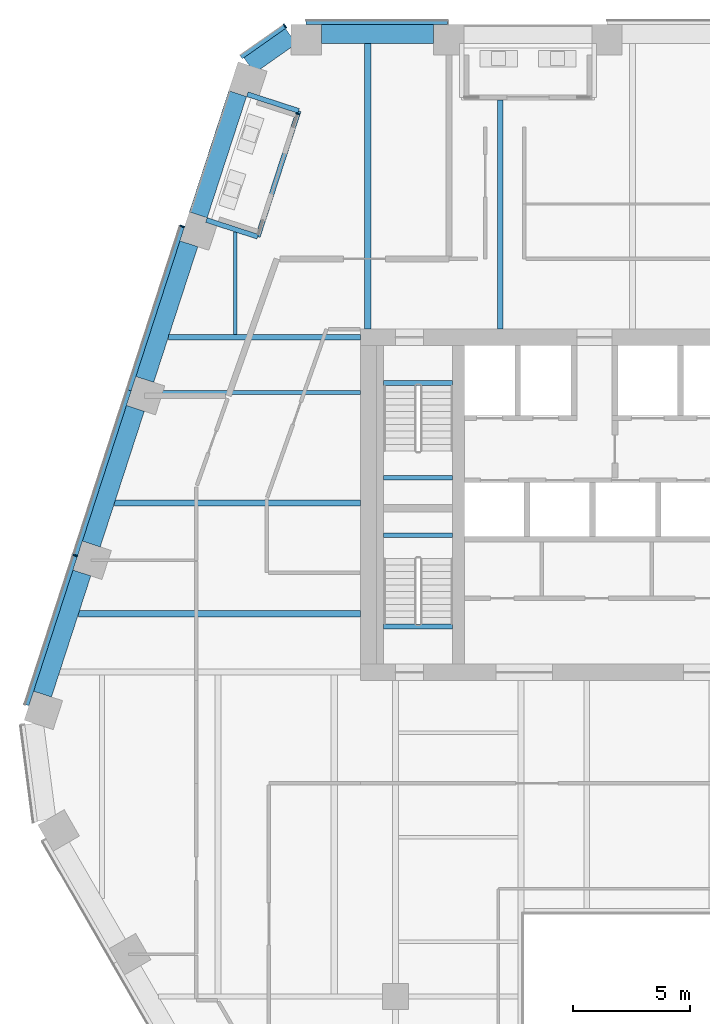
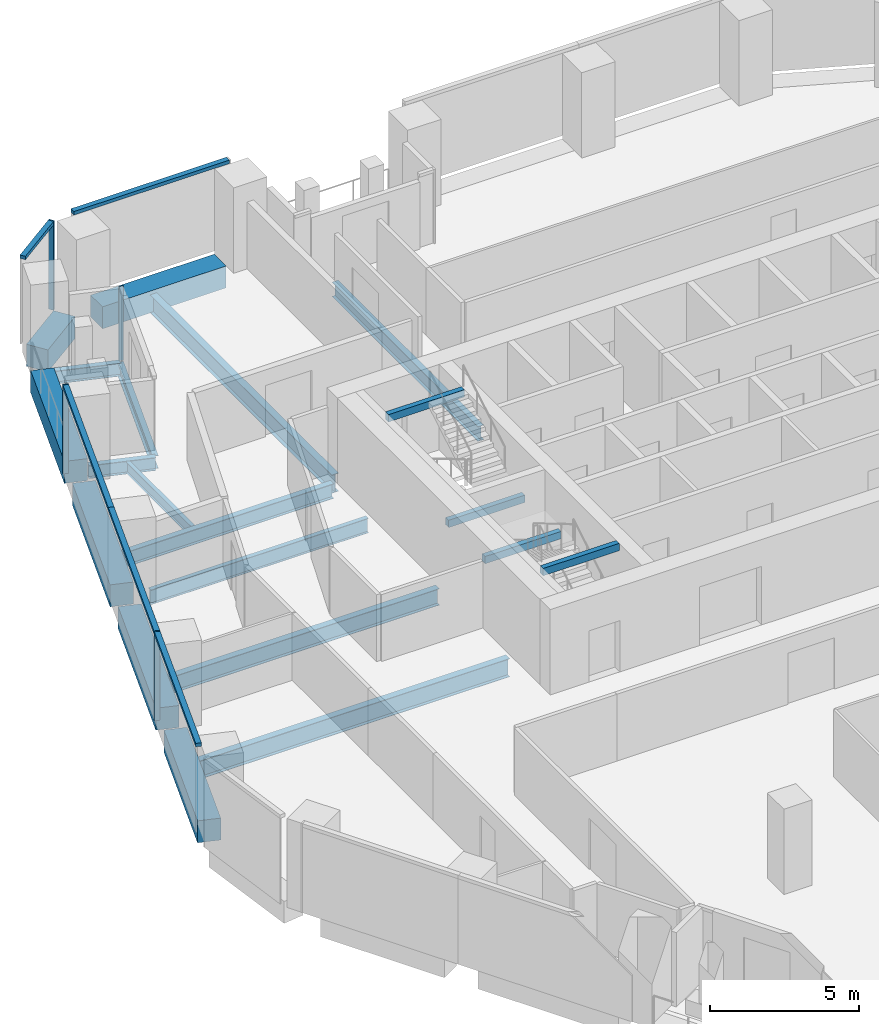
# One storey, part 8 of 26: 20 beams, 9 members, 4 elements without a shape of their own.
"""IFC4 building model written with IfcOpenShell, lengths in metres."""

from ifc_helpers import new_model, si_unit, direction, frame, origin, origin_2d, place, context, subcontext, project, spatial, rectangle, i_section, extrude, material, layer, layer_set, material_profile, profile_set, type_object, element, aggregate, save


model = new_model("IFC4")

# Units and contexts
model_context = context("Model", 3, precision=1e-05, world=origin(), true_north=direction((0.0, 1.0)))
body_context = subcontext(model_context, "Body", "Model", "MODEL_VIEW")
ifc_project = project(units=[si_unit("LENGTHUNIT", "METRE"), si_unit("AREAUNIT", "SQUARE_METRE"), si_unit("VOLUMEUNIT", "CUBIC_METRE"), si_unit("PLANEANGLEUNIT", "RADIAN"), si_unit("MASSUNIT", "GRAM", prefix="KILO")], contexts=[model_context])

# Site, building, storey
site_placement = place(None, origin())
site = spatial("IfcSite", under=ifc_project, at=site_placement, CompositionType="ELEMENT")
building_placement = place(site_placement, origin())
building = spatial("IfcBuilding", under=site, at=building_placement, Name="Isthmus Gate Tower", CompositionType="ELEMENT")
storey_placement = place(building_placement, frame((0.0, 0.0, 189.050048828125)))
storey = spatial("IfcBuildingStorey", under=building, at=storey_placement, Name="L47", CompositionType="ELEMENT", Elevation=189.050048828125)

# Curtain wall, member
ifc_material_1 = material(Name="Aluminium, pale champagne anodised", Category="aluminium")
ifc_layer_1 = layer(ifc_material_1, 0.199951171875)
ifc_layer_set_1 = layer_set([ifc_layer_1], Name="CW-1 UNITISED CURTAIN WALL 200 DEEP")
curtain_wall_type_1 = type_object("IfcCurtainWallType", Name="CW-1 UNITISED CURTAIN WALL 200 DEEP", PredefinedType="NOTDEFINED", material=ifc_layer_set_1)
curtain_wall_1_placement = place(storey_placement, origin())
curtain_wall_1 = element("IfcCurtainWall", 1, at=curtain_wall_1_placement, inside=storey, type_object=curtain_wall_type_1, Name="CW-1 N-NW L47", PredefinedType="NOTDEFINED")
ifc_material_2 = material(Name="Aluminium, pale champagne anodised", Category="aluminium")
ifc_material_profile_1 = material_profile(ifc_material_2, rectangle(XDim=0.06005859375, YDim=0.199951171875, at=origin_2d()), Name="60x200")
ifc_profile_set_1 = profile_set([ifc_material_profile_1], Name="Aluminium, pale champagne anodised")
member_type_1 = type_object("IfcMemberType", Name="CW-1 MULLION 60 X 200", PredefinedType="MULLION", material=ifc_profile_set_1)
member_1_placement = place(storey_placement, frame((-18.216552734375, 27.943115234375, 0.0), z_axis=(0.0, 0.0, 1.0), x_axis=(-0.81785959165, -0.57541783805, 0.0)))
member_1 = element("IfcMember", 2, at=member_1_placement, type_object=member_type_1, Name="CW-1 mullion", PredefinedType="MULLION", context=body_context, shape_type="SweptSolid", body=[
    extrude(rectangle(XDim=0.06005859375, YDim=0.199951171875, at=origin_2d()), origin(), (0.0, 0.0, 1.0), 3.64990234375),
])

# Curtain wall, members
curtain_wall_2_placement = place(storey_placement, origin())
curtain_wall_2 = element("IfcCurtainWall", 3, at=curtain_wall_2_placement, inside=storey, type_object=curtain_wall_type_1, Name="CW-1 NW L47", PredefinedType="NOTDEFINED")
member_2_placement = place(storey_placement, frame((-22.60302734375, 19.38818359375, 0.0), z_axis=(0.0, 0.0, 1.0), x_axis=(-0.309016994375, -0.951056516295, 0.0)))
member_2 = element("IfcMember", 4, at=member_2_placement, type_object=member_type_1, Name="CW-1 mullion", PredefinedType="MULLION", context=body_context, shape_type="SweptSolid", body=[
    extrude(rectangle(XDim=0.06005859375, YDim=0.199951171875, at=origin_2d()), origin(), (0.0, 0.0, 1.0), 3.64990234375),
])
member_3_placement = place(storey_placement, frame((-27.1708984375, 5.330078125, 0.0), z_axis=(0.0, 0.0, 1.0), x_axis=(-0.309016994375, -0.951056516295, 0.0)))
member_3 = element("IfcMember", 5, at=member_3_placement, type_object=member_type_1, Name="CW-1 mullion", PredefinedType="MULLION", context=body_context, shape_type="SweptSolid", body=[
    extrude(rectangle(XDim=0.06005859375, YDim=0.199951171875, at=origin_2d()), origin(), (0.0, 0.0, 1.0), 3.64990234375),
])

# Curtain wall, member
curtain_wall_3_placement = place(storey_placement, origin())
curtain_wall_3 = element("IfcCurtainWall", 6, at=curtain_wall_3_placement, inside=storey, type_object=curtain_wall_type_1, Name="CW-1 N L47", PredefinedType="NOTDEFINED")
ifc_material_3 = material(Name="Aluminium, pale champagne anodised", Category="aluminium")
ifc_material_profile_2 = material_profile(ifc_material_3, rectangle(XDim=0.199951171875, YDim=0.139892578125, at=origin_2d()), Name="200x140")
ifc_profile_set_2 = profile_set([ifc_material_profile_2], Name="Aluminium, pale champagne anodised")
member_type_2 = type_object("IfcMemberType", Name="CW-1 TRANSOM 200 X 140", PredefinedType="USERDEFINED", material=ifc_profile_set_2)
member_4_placement = place(storey_placement, frame((-11.271728515625, 28.10009765625, 3.579833984375), z_axis=(-1.0, 0.0, 0.0), x_axis=(0.0, -1.0, 0.0)))
member_4 = element("IfcMember", 7, at=member_4_placement, type_object=member_type_2, Name="CW-1 transom", ObjectType="TRANSOM", PredefinedType="USERDEFINED", context=body_context, shape_type="SweptSolid", body=[
    extrude(rectangle(XDim=0.199951171875, YDim=0.139892578125, at=origin_2d()), origin(), (0.0, 0.0, 1.0), 6.040283203125),
])
aggregate(curtain_wall_3, [member_4])

# Member
member_5_placement = place(storey_placement, frame((-18.2412109375, 27.92578125, 3.579833984375), z_axis=(-0.817868595604, -0.575405040233, 0.0), x_axis=(0.575405040233, -0.817868595604, 0.0)))
member_5 = element("IfcMember", 8, at=member_5_placement, type_object=member_type_2, Name="CW-1 transom", ObjectType="TRANSOM", PredefinedType="USERDEFINED", context=body_context, shape_type="SweptSolid", body=[
    extrude(rectangle(XDim=0.199951171875, YDim=0.139892578125, at=origin_2d()), origin(), (0.0, 0.0, 1.0), 2.258544921875),
])

aggregate(curtain_wall_1, [member_1, member_5])

member_6_placement = place(storey_placement, frame((-22.6123046875, 19.359619140625, 3.579833984375), z_axis=(-0.309025074527, -0.951053890857, 0.0), x_axis=(0.951053890857, -0.309025074527, 0.0)))
member_6 = element("IfcMember", 9, at=member_6_placement, type_object=member_type_2, Name="CW-1 transom", ObjectType="TRANSOM", PredefinedType="USERDEFINED", context=body_context, shape_type="SweptSolid", body=[
    extrude(rectangle(XDim=0.199951171875, YDim=0.139892578125, at=origin_2d()), origin(), (0.0, 0.0, 1.0), 7.330810546875),
])

member_7_placement = place(storey_placement, frame((-24.877685546875, 12.3876953125, 3.579833984375), z_axis=(-0.309024076379, -0.951054215183, 0.0), x_axis=(0.951054215183, -0.309024076379, 0.0)))
member_7 = element("IfcMember", 10, at=member_7_placement, type_object=member_type_2, Name="CW-1 transom", ObjectType="TRANSOM", PredefinedType="USERDEFINED", context=body_context, shape_type="SweptSolid", body=[
    extrude(rectangle(XDim=0.199951171875, YDim=0.139892578125, at=origin_2d()), origin(), (0.0, 0.0, 1.0), 7.390869140625),
])

member_8_placement = place(storey_placement, frame((-27.18017578125, 5.301513671875, 3.579833984375), z_axis=(-0.309015834351, -0.951056893209, 0.0), x_axis=(0.951056893209, -0.309015834351, 0.0)))
member_8 = element("IfcMember", 11, at=member_8_placement, type_object=member_type_2, Name="CW-1 transom", ObjectType="TRANSOM", PredefinedType="USERDEFINED", context=body_context, shape_type="SweptSolid", body=[
    extrude(rectangle(XDim=0.199951171875, YDim=0.139892578125, at=origin_2d()), origin(), (0.0, 0.0, 1.0), 6.6806640625),
])

aggregate(curtain_wall_2, [member_2, member_6, member_7, member_3, member_8])

# Curtain wall, member
ifc_material_4 = material(Name="Aluminium, pale champagne anodised", Category="aluminium")
ifc_layer_2 = layer(ifc_material_4, 0.14990234375)
ifc_layer_set_2 = layer_set([ifc_layer_2], Name="CW-6 LOGGIA BACK WALL GLAZING 150 DEEP")
curtain_wall_type_2 = type_object("IfcCurtainWallType", Name="CW-6 LOGGIA BACK WALL GLAZING 150 DEEP", PredefinedType="NOTDEFINED", material=ifc_layer_set_2)
curtain_wall_4_placement = place(storey_placement, origin())
curtain_wall_4 = element("IfcCurtainWall", 12, at=curtain_wall_4_placement, inside=storey, type_object=curtain_wall_type_2, Name="CW-6 NW L47", PredefinedType="NOTDEFINED")
ifc_material_5 = material(Name="Aluminium, pale champagne anodised", Category="aluminium")
ifc_material_profile_3 = material_profile(ifc_material_5, rectangle(XDim=0.06005859375, YDim=0.14990234375, at=origin_2d()), Name="60x150")
ifc_profile_set_3 = profile_set([ifc_material_profile_3], Name="Aluminium, pale champagne anodised")
member_type_3 = type_object("IfcMemberType", Name="CW-6 MULLION 60 X 150", PredefinedType="MULLION", material=ifc_profile_set_3)
member_9_placement = place(storey_placement, frame((-17.677490234375, 24.192138671875, 0.0), z_axis=(0.0, 0.0, 1.0), x_axis=(-0.309016994375, -0.951056516295, 0.0)))
member_9 = element("IfcMember", 13, at=member_9_placement, type_object=member_type_3, Name="CW-6 mullion", PredefinedType="MULLION", context=body_context, shape_type="SweptSolid", body=[
    extrude(rectangle(XDim=0.06005859375, YDim=0.14990234375, at=origin_2d()), origin(), (0.0, 0.0, 1.0), 3.050048828125),
])
aggregate(curtain_wall_4, [member_9])

# Beams
ifc_material_6 = material(Name="Concrete f'c 60 MPa", Category="concrete")
ifc_material_profile_4 = material_profile(ifc_material_6, rectangle(XDim=0.800048828125, YDim=0.89990234375, at=origin_2d()), Name="RC 800X900")
ifc_profile_set_4 = profile_set([ifc_material_profile_4], Name="Concrete f'c 60 MPa")
beam_type_1 = type_object("IfcBeamType", Name="RC SPANDREL 800 X 900", PredefinedType="SPANDREL", material=ifc_profile_set_4)
beam_1_placement = place(storey_placement, frame((-28.568115234375, -0.588623046875, -0.449951171875), z_axis=(0.308989680586, 0.95106539065, 0.0), x_axis=(-0.95106539065, 0.308989680586, 0.0)))
element("IfcBeam", 14, at=beam_1_placement, inside=storey, type_object=beam_type_1, Name="str-spandrel-L47-21", PredefinedType="SPANDREL", context=body_context, shape_type="SweptSolid", body=[
    extrude(rectangle(XDim=0.800048828125, YDim=0.89990234375, at=origin_2d()), origin(), (0.0, 0.0, 1.0), 5.44091796875),
])
for number, where, z_axis, x_axis, name in (
    (15, (-26.485107421875, 5.822265625, -0.449951171875), (0.309003593002, 0.951060870561, 0.0), (-0.951060870561, 0.309003593002, 0.0), "str-spandrel-L47-22"),
    (16, (-24.201416015625, 12.851318359375, -0.449951171875), (0.309039848514, 0.951049090232, 0.0), (-0.951049090232, 0.309039848514, 0.0), "str-spandrel-L47-23"),
):
    element("IfcBeam", number, at=place(storey_placement, frame(where, z_axis=z_axis, x_axis=x_axis)), inside=storey, type_object=beam_type_1, Name=name, PredefinedType="SPANDREL", context=body_context, shape_type="SweptSolid", body=[
        extrude(rectangle(XDim=0.800048828125, YDim=0.89990234375, at=origin_2d()), origin(), (0.0, 0.0, 1.0), 6.0908203125),
    ])
beam_2_placement = place(storey_placement, frame((-21.91748046875, 19.88037109375, -0.449951171875), z_axis=(0.309030267747, 0.951052203413, 0.0), x_axis=(-0.951052203413, 0.309030267747, 0.0)))
element("IfcBeam", 17, at=beam_2_placement, inside=storey, type_object=beam_type_1, Name="str-spandrel-L47-24", PredefinedType="SPANDREL", context=body_context, shape_type="SweptSolid", body=[
    extrude(rectangle(XDim=0.800048828125, YDim=0.89990234375, at=origin_2d()), origin(), (0.0, 0.0, 1.0), 5.44091796875),
])
beam_3_placement = place(storey_placement, frame((-19.7392578125, 26.260498046875, -0.449951171875), z_axis=(0.817857331203, 0.575421050882, 0.0), x_axis=(-0.575421050882, 0.817857331203, 0.0)))
element("IfcBeam", 18, at=beam_3_placement, inside=storey, type_object=beam_type_1, Name="str-spandrel-L47-25", PredefinedType="SPANDREL", context=body_context, shape_type="SweptSolid", body=[
    extrude(rectangle(XDim=0.800048828125, YDim=0.89990234375, at=origin_2d()), origin(), (0.0, 0.0, 1.0), 2.173095703125),
])
beam_4_placement = place(storey_placement, frame((-16.661865234375, 27.60009765625, -0.449951171875), z_axis=(1.0, 0.0, 0.0), x_axis=(0.0, 1.0, 0.0)))
element("IfcBeam", 19, at=beam_4_placement, inside=storey, type_object=beam_type_1, Name="str-spandrel-L47-26", PredefinedType="SPANDREL", context=body_context, shape_type="SweptSolid", body=[
    extrude(rectangle(XDim=0.800048828125, YDim=0.89990234375, at=origin_2d()), origin(), (0.0, 0.0, 1.0), 4.800048828125),
])
ifc_material_7 = material(Name="Concrete f'c 40 MPa", Category="concrete")
ifc_material_profile_5 = material_profile(ifc_material_7, rectangle(XDim=0.199951171875, YDim=0.300048828125, at=origin_2d()), Name="STAIR LANDING BEAM RC 200 X 300")
ifc_profile_set_5 = profile_set([ifc_material_profile_5], Name="Concrete f'c 40 MPa")
beam_type_2 = type_object("IfcBeamType", Name="STAIR LANDING BEAM RC 200 X 300", PredefinedType="BEAM", material=ifc_profile_set_5)
for number, where, z_axis, x_axis, name in (
    (20, (-14.0, 8.64990234375, 1.474853515625), (1.0, 0.0, 0.0), (0.0, 1.0, 0.0), "L47 ST1 landing beam 1"),
    (21, (-14.0, 12.7001953125, 3.349853515625), (1.0, 0.0, 0.0), (0.0, 1.0, 0.0), "L47 ST1 floor-edge seat beam"),
    (22, (-14.0, 6.199951171875, 1.474853515625), (1.0, 0.0, 0.0), (0.0, 1.0, 0.0), "L47 ST7 landing beam 1"),
    (23, (-14.0, 2.2998046875, 3.349853515625), (1.0, 0.0, 0.0), (0.0, 1.0, 0.0), "L47 ST7 floor-edge seat beam"),
):
    element("IfcBeam", number, at=place(storey_placement, frame(where, z_axis=z_axis, x_axis=x_axis)), inside=storey, type_object=beam_type_2, Name=name, PredefinedType="BEAM", context=body_context, shape_type="SweptSolid", body=[
        extrude(rectangle(XDim=0.199951171875, YDim=0.300048828125, at=origin_2d()), origin(), (0.0, 0.0, 1.0), 2.949951171875),
    ])
ifc_material_8 = material(Name="Structural steel ASTM A992 Gr 50", Category="steel")
ifc_material_profile_6 = material_profile(ifc_material_8, i_section(OverallWidth=0.15234375, OverallDepth=0.45068359375, WebThickness=0.0078125, FlangeThickness=0.010986328125, at=origin_2d()), Name="W18X35")
ifc_profile_set_6 = profile_set([ifc_material_profile_6], Name="Structural steel ASTM A992 Gr 50")
beam_type_3 = type_object("IfcBeamType", Name="STEEL FLOOR BEAM W18X35", PredefinedType="JOIST", material=ifc_profile_set_6)
beam_5_placement = place(storey_placement, frame((-20.332763671875, 14.764404296875, -0.37548828125), z_axis=(0.0, 1.0, 0.0), x_axis=(-1.0, 0.0, 0.0)))
element("IfcBeam", 24, at=beam_5_placement, inside=storey, type_object=beam_type_3, Name="str-beam-L47-08-00", PredefinedType="JOIST", context=body_context, shape_type="SweptSolid", body=[
    extrude(i_section(OverallWidth=0.15234375, OverallDepth=0.45068359375, WebThickness=0.0078125, FlangeThickness=0.010986328125, at=origin_2d()), origin(), (0.0, 0.0, 1.0), 4.380859375),
])
ifc_material_9 = material(Name="Structural steel ASTM A992 Gr 50", Category="steel")
ifc_material_profile_7 = material_profile(ifc_material_9, i_section(OverallWidth=0.177734375, OverallDepth=0.60009765625, WebThickness=0.009521484375, FlangeThickness=0.0126953125, at=origin_2d()), Name="W24X55")
ifc_profile_set_7 = profile_set([ifc_material_profile_7], Name="Structural steel ASTM A992 Gr 50")
beam_type_4 = type_object("IfcBeamType", Name="STEEL FLOOR BEAM W24X55", PredefinedType="JOIST", material=ifc_profile_set_7)
beam_6_placement = place(storey_placement, frame((-23.43798828125, 12.28857421875, -0.4501953125), z_axis=(1.0, 0.0, 0.0), x_axis=(0.0, 1.0, 0.0)))
element("IfcBeam", 25, at=beam_6_placement, inside=storey, type_object=beam_type_4, Name="str-beam-L47-02-02", PredefinedType="JOIST", context=body_context, shape_type="SweptSolid", body=[
    extrude(i_section(OverallWidth=0.177734375, OverallDepth=0.60009765625, WebThickness=0.009521484375, FlangeThickness=0.0126953125, at=origin_2d()), origin(), (0.0, 0.0, 1.0), 8.43798828125),
])
ifc_material_10 = material(Name="Structural steel ASTM A992 Gr 50", Category="steel")
ifc_material_profile_8 = material_profile(ifc_material_10, i_section(OverallWidth=0.228515625, OverallDepth=0.603271484375, WebThickness=0.010986328125, FlangeThickness=0.014404296875, at=origin_2d()), Name="W24X68")
ifc_profile_set_8 = profile_set([ifc_material_profile_8], Name="Structural steel ASTM A992 Gr 50")
beam_type_5 = type_object("IfcBeamType", Name="STEEL FLOOR BEAM W24X68", PredefinedType="JOIST", material=ifc_profile_set_8)
beam_7_placement = place(storey_placement, frame((-9.027099609375, 15.0, -0.45166015625), z_axis=(0.0, 1.0, 0.0), x_axis=(-1.0, 0.0, 0.0)))
element("IfcBeam", 26, at=beam_7_placement, inside=storey, type_object=beam_type_5, Name="str-beam-L47-08-02", PredefinedType="JOIST", context=body_context, shape_type="SweptSolid", body=[
    extrude(i_section(OverallWidth=0.228515625, OverallDepth=0.603271484375, WebThickness=0.010986328125, FlangeThickness=0.014404296875, at=origin_2d()), origin(), (0.0, 0.0, 1.0), 9.79052734375),
])
ifc_material_11 = material(Name="Structural steel ASTM A992 Gr 50", Category="steel")
ifc_material_profile_9 = material_profile(ifc_material_11, i_section(OverallWidth=0.25390625, OverallDepth=0.679443359375, WebThickness=0.010986328125, FlangeThickness=0.015869140625, at=origin_2d()), Name="W27X84")
ifc_profile_set_9 = profile_set([ifc_material_profile_9], Name="Structural steel ASTM A992 Gr 50")
beam_type_6 = type_object("IfcBeamType", Name="STEEL FLOOR BEAM W27X84", PredefinedType="JOIST", material=ifc_profile_set_9)
beam_8_placement = place(storey_placement, frame((-25.498046875, 7.56591796875, -0.48974609375), z_axis=(1.0, 0.0, 0.0), x_axis=(0.0, 1.0, 0.0)))
element("IfcBeam", 27, at=beam_8_placement, inside=storey, type_object=beam_type_6, Name="str-beam-L47-02-01", PredefinedType="JOIST", context=body_context, shape_type="SweptSolid", body=[
    extrude(i_section(OverallWidth=0.25390625, OverallDepth=0.679443359375, WebThickness=0.010986328125, FlangeThickness=0.015869140625, at=origin_2d()), origin(), (0.0, 0.0, 1.0), 10.498046875),
])
ifc_material_12 = material(Name="Structural steel ASTM A992 Gr 50", Category="steel")
ifc_material_profile_10 = material_profile(ifc_material_12, i_section(OverallWidth=0.263427734375, OverallDepth=0.749267578125, WebThickness=0.0126953125, FlangeThickness=0.015869140625, at=origin_2d()), Name="W30X90")
ifc_profile_set_10 = profile_set([ifc_material_profile_10], Name="Structural steel ASTM A992 Gr 50")
beam_type_7 = type_object("IfcBeamType", Name="STEEL FLOOR BEAM W30X90", PredefinedType="JOIST", material=ifc_profile_set_10)
beam_9_placement = place(storey_placement, frame((-27.03271484375, 2.843017578125, -0.524658203125), z_axis=(1.0, 0.0, 0.0), x_axis=(0.0, 1.0, 0.0)))
element("IfcBeam", 28, at=beam_9_placement, inside=storey, type_object=beam_type_7, Name="str-beam-L47-02-00", PredefinedType="JOIST", context=body_context, shape_type="SweptSolid", body=[
    extrude(i_section(OverallWidth=0.263427734375, OverallDepth=0.749267578125, WebThickness=0.0126953125, FlangeThickness=0.015869140625, at=origin_2d()), origin(), (0.0, 0.0, 1.0), 12.03271484375),
])
beam_10_placement = place(storey_placement, frame((-14.679931640625, 15.0, -0.524658203125), z_axis=(0.0, 1.0, 0.0), x_axis=(-1.0, 0.0, 0.0)))
element("IfcBeam", 29, at=beam_10_placement, inside=storey, type_object=beam_type_7, Name="str-beam-L47-08-01", PredefinedType="JOIST", context=body_context, shape_type="SweptSolid", body=[
    extrude(i_section(OverallWidth=0.263427734375, OverallDepth=0.749267578125, WebThickness=0.0126953125, FlangeThickness=0.015869140625, at=origin_2d()), origin(), (0.0, 0.0, 1.0), 12.199951171875),
])
ifc_material_13 = material(Name="Structural steel ASTM A992 Gr 50", Category="steel")
ifc_material_profile_11 = material_profile(ifc_material_13, i_section(OverallWidth=0.228515625, OverallDepth=0.6064453125, WebThickness=0.010986328125, FlangeThickness=0.017578125, at=origin_2d()), Name="W24X76")
ifc_profile_set_11 = profile_set([ifc_material_profile_11], Name="Structural steel ASTM A992 Gr 50")
beam_type_8 = type_object("IfcBeamType", Name="STEEL GIRDER W24X76", PredefinedType="BEAM", material=ifc_profile_set_11)
beam_11_placement = place(storey_placement, frame((-15.0, 14.64990234375, -0.453369140625), z_axis=(-1.0, 0.0, 0.0), x_axis=(0.0, -1.0, 0.0)))
element("IfcBeam", 30, at=beam_11_placement, inside=storey, type_object=beam_type_8, Name="str-girder-L47-14", PredefinedType="BEAM", context=body_context, shape_type="SweptSolid", body=[
    extrude(i_section(OverallWidth=0.228515625, OverallDepth=0.6064453125, WebThickness=0.010986328125, FlangeThickness=0.017578125, at=origin_2d()), origin(), (0.0, 0.0, 1.0), 8.1962890625),
])
ifc_material_14 = material(Name="Structural steel ASTM A992 Gr 50", Category="steel")
ifc_material_profile_12 = material_profile(ifc_material_14, i_section(OverallWidth=0.20947265625, OverallDepth=0.533447265625, WebThickness=0.009521484375, FlangeThickness=0.015869140625, at=origin_2d()), Name="W21X62")
ifc_profile_set_12 = profile_set([ifc_material_profile_12], Name="Structural steel ASTM A992 Gr 50")
beam_type_9 = type_object("IfcBeamType", Name="STEEL TRIMMER W21X62", PredefinedType="BEAM", material=ifc_profile_set_12)
beam_12_placement = place(storey_placement, frame((-17.63134765625, 24.31884765625, -0.416748046875), z_axis=(-0.309024520261, -0.951054070954, 0.0), x_axis=(0.951054070954, -0.309024520261, 0.0)))
element("IfcBeam", 31, at=beam_12_placement, inside=storey, type_object=beam_type_9, Name="str-loggiatrim-L47-02-B", PredefinedType="BEAM", context=body_context, shape_type="SweptSolid", body=[
    extrude(i_section(OverallWidth=0.20947265625, OverallDepth=0.533447265625, WebThickness=0.009521484375, FlangeThickness=0.015869140625, at=origin_2d()), origin(), (0.0, 0.0, 1.0), 5.650390625),
])
for number, where, z_axis, x_axis, name in (
    (32, (-19.8232421875, 25.031005859375, -0.416748046875), (0.951060533358, -0.309004630854, 0.0), (0.309004630854, 0.951060533358, 0.0), "str-loggiatrim-L47-02-A"),
    (33, (-21.5693359375, 19.6572265625, -0.416748046875), (0.951060533358, -0.309004630854, 0.0), (0.309004630854, 0.951060533358, 0.0), "str-loggiatrim-L47-02-C"),
):
    element("IfcBeam", number, at=place(storey_placement, frame(where, z_axis=z_axis, x_axis=x_axis)), inside=storey, type_object=beam_type_9, Name=name, PredefinedType="BEAM", context=body_context, shape_type="SweptSolid", body=[
        extrude(i_section(OverallWidth=0.20947265625, OverallDepth=0.533447265625, WebThickness=0.009521484375, FlangeThickness=0.015869140625, at=origin_2d()), origin(), (0.0, 0.0, 1.0), 2.3046875),
    ])

save(model, "model.ifc")
